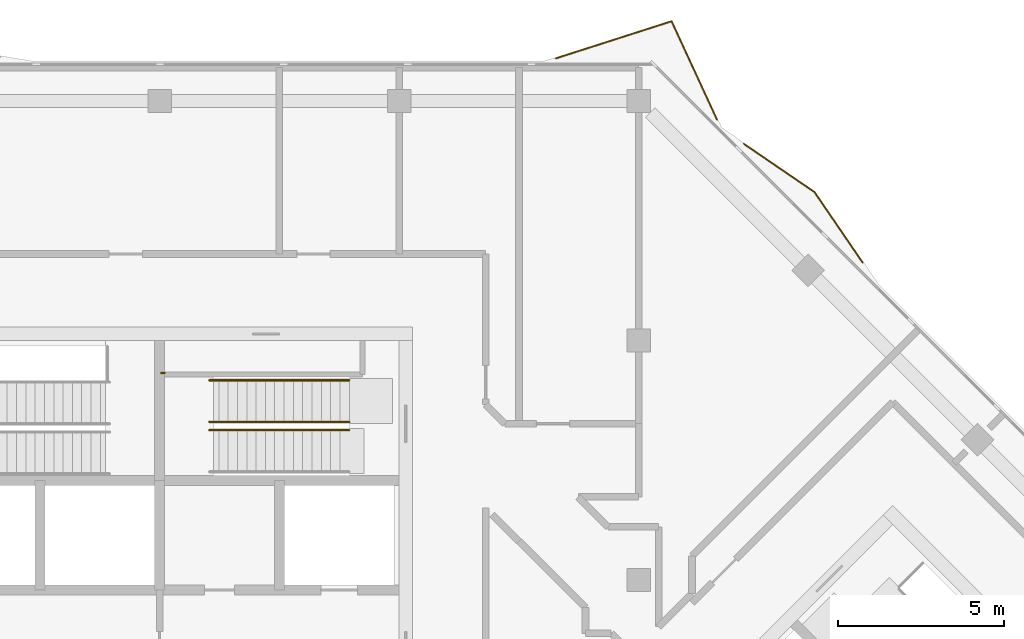
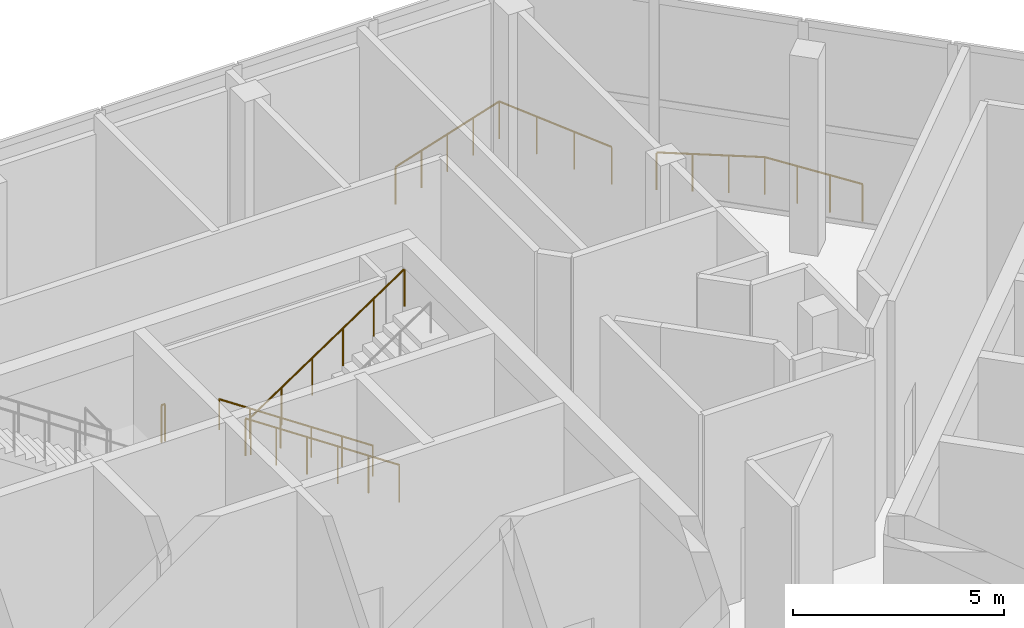
# One storey, part 18 of 19: 6 railings.
"""IFC4 building model written with IfcOpenShell, lengths in metres."""

from ifc_helpers import new_model, si_unit, direction, frame, origin, origin_2d, place, context, subcontext, project, spatial, circle, extrude, material, type_object, element, save


model = new_model("IFC4")

# Units and contexts
model_context = context("Model", 3, precision=1e-05, world=origin(), true_north=direction((0.0, 1.0)))
body_context = subcontext(model_context, "Body", "Model", "MODEL_VIEW")
ifc_project = project(units=[si_unit("LENGTHUNIT", "METRE"), si_unit("AREAUNIT", "SQUARE_METRE"), si_unit("VOLUMEUNIT", "CUBIC_METRE"), si_unit("PLANEANGLEUNIT", "RADIAN"), si_unit("MASSUNIT", "GRAM", prefix="KILO")], contexts=[model_context])

# Site, building, storey
site_placement = place(None, origin())
site = spatial("IfcSite", under=ifc_project, at=site_placement, CompositionType="ELEMENT")
building_placement = place(site_placement, origin())
building = spatial("IfcBuilding", under=site, at=building_placement, Name="Windrow Commons", CompositionType="ELEMENT")
storey_placement = place(building_placement, frame((0.0, 0.0, 284.6)))
storey = spatial("IfcBuildingStorey", under=building, at=storey_placement, Name="L78", CompositionType="ELEMENT", Elevation=284.6)

# Railings
ifc_material_1 = material(Name="Steel S355", Category="steel")
railing_type_1 = type_object("IfcRailingType", Name="Core stair guard 1100", PredefinedType="GUARDRAIL", material=ifc_material_1)
railing_1_placement = place(storey_placement, frame((70.5, 62.355, 0.1875)))
element("IfcRailing", 1, at=railing_1_placement, inside=storey, type_object=railing_type_1, Name="L78 ST-A2 stair guard 1", PredefinedType="GUARDRAIL", context=body_context, shape_type="SweptSolid", body=[
    extrude(circle(Radius=0.024, at=origin_2d()), frame((0.0, 0.0, 1.076), z_axis=(-0.830907177, 0.0, 0.556411056), x_axis=(0.0, -1.0, 0.0)), (0.0, 0.0, 1.0), 5.0547),
    extrude(circle(Radius=0.021, at=origin_2d()), origin(), (0.0, 0.0, 1.0), 1.052),
    extrude(circle(Radius=0.021, at=origin_2d()), frame((-0.84, 0.0, 0.5625)), (0.0, 0.0, 1.0), 1.052),
    extrude(circle(Radius=0.021, at=origin_2d()), frame((-1.68, 0.0, 1.125)), (0.0, 0.0, 1.0), 1.052),
    extrude(circle(Radius=0.021, at=origin_2d()), frame((-2.52, 0.0, 1.6875)), (0.0, 0.0, 1.0), 1.052),
    extrude(circle(Radius=0.021, at=origin_2d()), frame((-3.36, 0.0, 2.25)), (0.0, 0.0, 1.0), 1.052),
    extrude(circle(Radius=0.021, at=origin_2d()), frame((-4.2, 0.0, 2.8125)), (0.0, 0.0, 1.0), 1.052),
])
railing_2_placement = place(storey_placement, frame((66.3, 62.105, 3.1875)))
element("IfcRailing", 2, at=railing_2_placement, inside=storey, type_object=railing_type_1, Name="L78 ST-A2 stair guard 2", PredefinedType="GUARDRAIL", context=body_context, shape_type="SweptSolid", body=[
    extrude(circle(Radius=0.024, at=origin_2d()), frame((0.0, 0.0, 1.076), z_axis=(0.830907177, 0.0, 0.556411056), x_axis=(0.0, 1.0, 0.0)), (0.0, 0.0, 1.0), 5.0547),
    extrude(circle(Radius=0.021, at=origin_2d()), origin(), (0.0, 0.0, 1.0), 1.052),
    extrude(circle(Radius=0.021, at=origin_2d()), frame((0.84, 0.0, 0.5625)), (0.0, 0.0, 1.0), 1.052),
    extrude(circle(Radius=0.021, at=origin_2d()), frame((1.68, 0.0, 1.125)), (0.0, 0.0, 1.0), 1.052),
    extrude(circle(Radius=0.021, at=origin_2d()), frame((2.52, 0.0, 1.6875)), (0.0, 0.0, 1.0), 1.052),
    extrude(circle(Radius=0.021, at=origin_2d()), frame((3.36, 0.0, 2.25)), (0.0, 0.0, 1.0), 1.052),
    extrude(circle(Radius=0.021, at=origin_2d()), frame((4.2, 0.0, 2.8125)), (0.0, 0.0, 1.0), 1.052),
])
railing_3_placement = place(storey_placement, frame((64.95, 63.825, 3.0)))
element("IfcRailing", 3, at=railing_3_placement, inside=storey, type_object=railing_type_1, Name="L78 ST-A2 stair guard 3", PredefinedType="GUARDRAIL", context=body_context, shape_type="SweptSolid", body=[
    extrude(circle(Radius=0.024, at=origin_2d()), frame((0.0, 0.0, 1.076), z_axis=(-1.0, 0.0, 0.0), x_axis=(0.0, -1.0, 0.0)), (0.0, 0.0, 1.0), 0.1),
    extrude(circle(Radius=0.021, at=origin_2d()), origin(), (0.0, 0.0, 1.0), 1.052),
    extrude(circle(Radius=0.021, at=origin_2d()), frame((-0.1, 0.0, 0.0)), (0.0, 0.0, 1.0), 1.052),
])
ifc_material_2 = material(Name="Steel S355", Category="steel")
railing_type_2 = type_object("IfcRailingType", Name="Core stair handrail 900", PredefinedType="HANDRAIL", material=ifc_material_2)
railing_4_placement = place(storey_placement, frame((70.5, 63.605, 0.1875)))
element("IfcRailing", 4, at=railing_4_placement, inside=storey, type_object=railing_type_2, Name="L78 ST-A2 stair handrail 1", PredefinedType="HANDRAIL", context=body_context, shape_type="SweptSolid", body=[
    extrude(circle(Radius=0.024, at=origin_2d()), frame((0.0, 0.0, 0.876), z_axis=(-0.830907177, 0.0, 0.556411056), x_axis=(0.0, -1.0, 0.0)), (0.0, 0.0, 1.0), 5.0547),
    extrude(circle(Radius=0.021, at=origin_2d()), origin(), (0.0, 0.0, 1.0), 0.852),
    extrude(circle(Radius=0.021, at=origin_2d()), frame((-0.84, 0.0, 0.5625)), (0.0, 0.0, 1.0), 0.852),
    extrude(circle(Radius=0.021, at=origin_2d()), frame((-1.68, 0.0, 1.125)), (0.0, 0.0, 1.0), 0.852),
    extrude(circle(Radius=0.021, at=origin_2d()), frame((-2.52, 0.0, 1.6875)), (0.0, 0.0, 1.0), 0.852),
    extrude(circle(Radius=0.021, at=origin_2d()), frame((-3.36, 0.0, 2.25)), (0.0, 0.0, 1.0), 0.852),
    extrude(circle(Radius=0.021, at=origin_2d()), frame((-4.2, 0.0, 2.8125)), (0.0, 0.0, 1.0), 0.852),
])
ifc_material_3 = material(Name="Stainless steel S316 balustrade with toughened glass infill", Category="steel")
railing_type_3 = type_object("IfcRailingType", Name="Terrace guard 1100", PredefinedType="BALUSTRADE", material=ifc_material_3)
railing_5_placement = place(storey_placement, frame((76.7094, 73.2811, 0.0)))
element("IfcRailing", 5, at=railing_5_placement, inside=storey, type_object=railing_type_3, Name="Edge guard L78 6", PredefinedType="BALUSTRADE", context=body_context, shape_type="SweptSolid", body=[
    extrude(circle(Radius=0.025, at=origin_2d()), frame((0.0, 0.0, 1.075), z_axis=(0.9522485132, 0.3053240395, 0.0), x_axis=(-0.3053240395, 0.9522485132, 0.0)), (0.0, 0.0, 1.0), 3.6525),
    extrude(circle(Radius=0.025, at=origin_2d()), frame((3.4781, 1.1152, 1.075), z_axis=(0.4192761656, -0.9078587428, 0.0), x_axis=(0.9078587428, 0.4192761656, 0.0)), (0.0, 0.0, 1.0), 3.258),
    extrude(circle(Radius=0.02, at=origin_2d()), origin(), (0.0, 0.0, 1.0), 1.05),
    extrude(circle(Radius=0.02, at=origin_2d()), frame((0.8695, 0.2788, 0.0)), (0.0, 0.0, 1.0), 1.05),
    extrude(circle(Radius=0.02, at=origin_2d()), frame((1.739, 0.5576, 0.0)), (0.0, 0.0, 1.0), 1.05),
    extrude(circle(Radius=0.02, at=origin_2d()), frame((2.6086, 0.8364, 0.0)), (0.0, 0.0, 1.0), 1.05),
    extrude(circle(Radius=0.02, at=origin_2d()), frame((3.4781, 1.1152, 0.0)), (0.0, 0.0, 1.0), 1.05),
    extrude(circle(Radius=0.02, at=origin_2d()), frame((3.9334, 0.1293, 0.0)), (0.0, 0.0, 1.0), 1.05),
    extrude(circle(Radius=0.02, at=origin_2d()), frame((4.3888, -0.8567, 0.0)), (0.0, 0.0, 1.0), 1.05),
    extrude(circle(Radius=0.02, at=origin_2d()), frame((4.8441, -1.8426, 0.0)), (0.0, 0.0, 1.0), 1.05),
])
railing_6_placement = place(storey_placement, frame((82.3597, 70.7115, 0.0)))
element("IfcRailing", 6, at=railing_6_placement, inside=storey, type_object=railing_type_3, Name="Edge guard L78 7", PredefinedType="BALUSTRADE", context=body_context, shape_type="SweptSolid", body=[
    extrude(circle(Radius=0.025, at=origin_2d()), frame((0.0, 0.0, 1.075), z_axis=(0.8258831638, -0.5638412895, 0.0), x_axis=(0.5638412895, 0.8258831638, 0.0)), (0.0, 0.0, 1.0), 2.5706),
    extrude(circle(Radius=0.025, at=origin_2d()), frame((2.123, -1.4494, 1.075), z_axis=(0.5638594052, -0.8258707957, 0.0), x_axis=(0.8258707957, 0.5638594052, 0.0)), (0.0, 0.0, 1.0), 2.5705),
    extrude(circle(Radius=0.02, at=origin_2d()), origin(), (0.0, 0.0, 1.0), 1.05),
    extrude(circle(Radius=0.02, at=origin_2d()), frame((0.7077, -0.4831, 0.0)), (0.0, 0.0, 1.0), 1.05),
    extrude(circle(Radius=0.02, at=origin_2d()), frame((1.4153, -0.9663, 0.0)), (0.0, 0.0, 1.0), 1.05),
    extrude(circle(Radius=0.02, at=origin_2d()), frame((2.123, -1.4494, 0.0)), (0.0, 0.0, 1.0), 1.05),
    extrude(circle(Radius=0.02, at=origin_2d()), frame((2.6061, -2.157, 0.0)), (0.0, 0.0, 1.0), 1.05),
    extrude(circle(Radius=0.02, at=origin_2d()), frame((3.0893, -2.8647, 0.0)), (0.0, 0.0, 1.0), 1.05),
    extrude(circle(Radius=0.02, at=origin_2d()), frame((3.5724, -3.5723, 0.0)), (0.0, 0.0, 1.0), 1.05),
])

save(model, "model.ifc")
